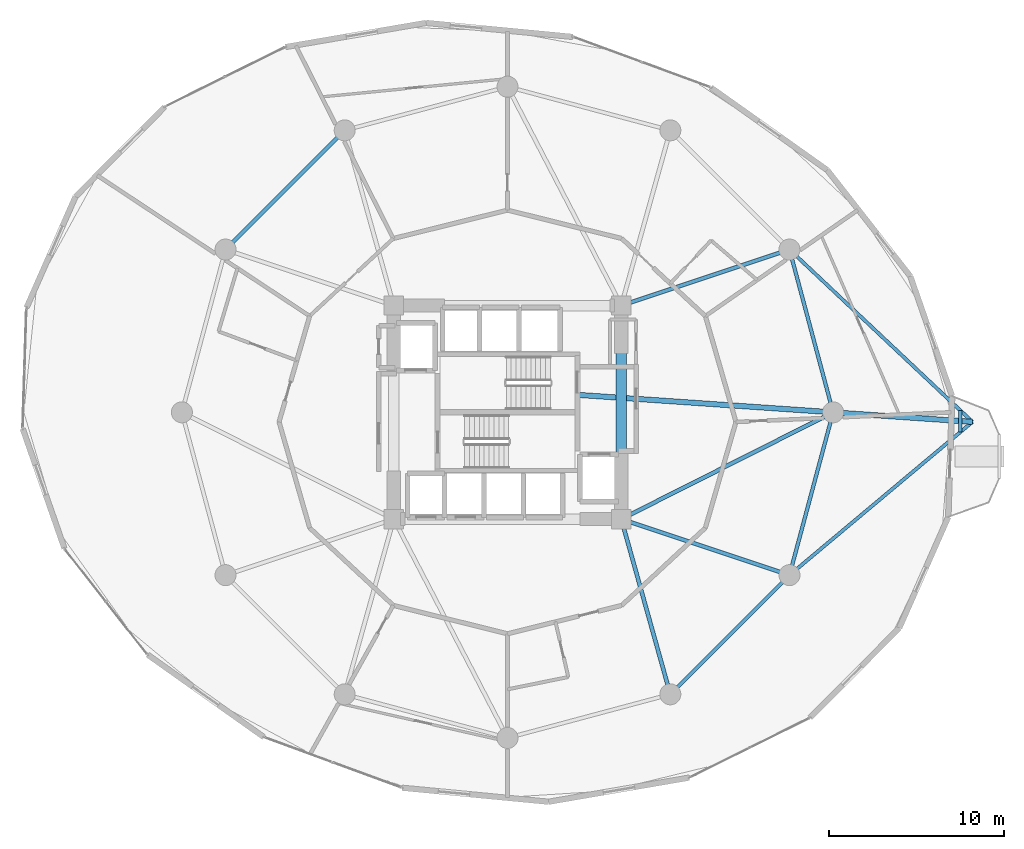
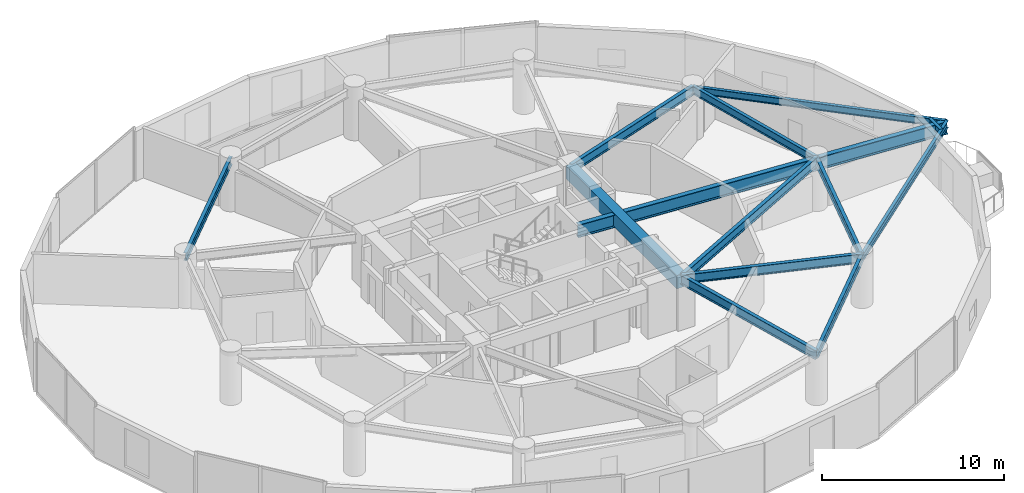
# One storey, part 11 of 22: 14 beams.
"""IFC4 building model written with IfcOpenShell, lengths in metres."""

from ifc_helpers import new_model, si_unit, direction, frame, origin, origin_2d, place, context, subcontext, project, spatial, rectangle, i_section, extrude, material, material_profile, profile_set, type_object, element, save


model = new_model("IFC4")

# Units and contexts
model_context = context("Model", 3, precision=1e-05, world=origin(), true_north=direction((0.0, 1.0)))
body_context = subcontext(model_context, "Body", "Model", "MODEL_VIEW")
ifc_project = project(units=[si_unit("LENGTHUNIT", "METRE"), si_unit("AREAUNIT", "SQUARE_METRE"), si_unit("VOLUMEUNIT", "CUBIC_METRE"), si_unit("PLANEANGLEUNIT", "RADIAN"), si_unit("MASSUNIT", "GRAM", prefix="KILO")], contexts=[model_context])

# Site, building, storey
site_placement = place(None, origin())
site = spatial("IfcSite", under=ifc_project, at=site_placement, CompositionType="ELEMENT")
building_placement = place(site_placement, origin())
building = spatial("IfcBuilding", under=site, at=building_placement, Name="Solvirekh Grand Hotel", CompositionType="ELEMENT")
storey_placement = place(building_placement, frame((0.0, 0.0, 53.60009765625)))
storey = spatial("IfcBuildingStorey", under=building, at=storey_placement, Name="L12", CompositionType="ELEMENT", Elevation=53.60009765625)

# Beams
ifc_material_1 = material(Name="Concrete C50/60", Category="concrete")
ifc_material_profile_1 = material_profile(ifc_material_1, rectangle(XDim=0.60009765625, YDim=0.89990234375, at=origin_2d()), Name="RC BEAM 600X900")
ifc_profile_set_1 = profile_set([ifc_material_profile_1], Name="Concrete C50/60")
beam_type_1 = type_object("IfcBeamType", Name="Beam_Core_RC900", PredefinedType="BEAM", material=ifc_profile_set_1)
beam_1_placement = place(storey_placement, frame((6.5, -6.10009765625, 2.889892578125), z_axis=(0.0, 1.0, 0.0), x_axis=(-1.0, 0.0, 0.0)))
element("IfcBeam", 1, at=beam_1_placement, inside=storey, type_object=beam_type_1, Name="L12 core coupling ring beam 2", PredefinedType="BEAM", context=body_context, shape_type="SweptSolid", body=[
    extrude(rectangle(XDim=0.60009765625, YDim=0.89990234375, at=origin_2d()), origin(), (0.0, 0.0, 1.0), 12.2001953125),
])
ifc_material_2 = material(Name="Steel S460", Category="steel")
ifc_material_profile_2 = material_profile(ifc_material_2, i_section(OverallWidth=0.302001953125, OverallDepth=0.85498046875, WebThickness=0.01904296875, FlangeThickness=0.032958984375, FilletRadius=0.01806640625, at=origin_2d()), Name="W840X299")
ifc_profile_set_2 = profile_set([ifc_material_profile_2], Name="Steel S460")
beam_type_2 = type_object("IfcBeamType", Name="Beam_PoolTie_W840", PredefinedType="BEAM", material=ifc_profile_set_2)
beam_2_placement = place(storey_placement, frame((3.989990234375, 1.0, 2.86181640625), z_axis=(0.997665786866, -0.068285999415, 0.0), x_axis=(0.068285999415, 0.997665786866, 0.0)))
element("IfcBeam", 2, at=beam_2_placement, inside=storey, type_object=beam_type_2, Name="L13 sky-garden back-span tie girder", PredefinedType="BEAM", context=body_context, shape_type="SweptSolid", body=[
    extrude(i_section(OverallWidth=0.302001953125, OverallDepth=0.85498046875, WebThickness=0.01904296875, FlangeThickness=0.032958984375, FilletRadius=0.01806640625, at=origin_2d()), origin(), (0.0, 0.0, 1.0), 14.644287109375),
])
beam_3_placement = place(storey_placement, frame((18.60009765625, 0.0, 2.86181640625), z_axis=(0.997665535799, -0.068289667441, 0.0), x_axis=(0.068289667441, 0.997665535799, 0.0)))
element("IfcBeam", 3, at=beam_3_placement, inside=storey, type_object=beam_type_2, Name="L13 sky-garden primary cantilever bracket", PredefinedType="BEAM", context=body_context, shape_type="SweptSolid", body=[
    extrude(i_section(OverallWidth=0.302001953125, OverallDepth=0.85498046875, WebThickness=0.01904296875, FlangeThickness=0.032958984375, FilletRadius=0.01806640625, at=origin_2d()), origin(), (0.0, 0.0, 1.0), 7.9794921875),
])
ifc_material_3 = material(Name="Steel S355", Category="steel")
ifc_material_profile_3 = material_profile(ifc_material_3, i_section(OverallWidth=0.22998046875, OverallDepth=0.615966796875, WebThickness=0.013916015625, FlangeThickness=0.02392578125, FilletRadius=0.014892578125, at=origin_2d()), Name="W610X174")
ifc_profile_set_3 = profile_set([ifc_material_profile_3], Name="Steel S355")
beam_type_3 = type_object("IfcBeamType", Name="Beam_Primary_W610H", PredefinedType="BEAM", material=ifc_profile_set_3)
beam_4_placement = place(storey_placement, frame((6.5, -6.10009765625, 3.031982421875), z_axis=(0.892944939011, 0.450165898191, 0.0), x_axis=(-0.450165898191, 0.892944939011, 0.0)))
element("IfcBeam", 4, at=beam_4_placement, inside=storey, type_object=beam_type_3, Name="L12 radial floor beam R01", PredefinedType="BEAM", context=body_context, shape_type="SweptSolid", body=[
    extrude(i_section(OverallWidth=0.22998046875, OverallDepth=0.615966796875, WebThickness=0.013916015625, FlangeThickness=0.02392578125, FilletRadius=0.014892578125, at=origin_2d()), origin(), (0.0, 0.0, 1.0), 13.55078125),
])
beam_5_placement = place(storey_placement, frame((6.5, 6.10009765625, 3.031982421875), z_axis=(0.948762825819, 0.315989082635, 0.0), x_axis=(-0.315989082635, 0.948762825819, 0.0)))
element("IfcBeam", 5, at=beam_5_placement, inside=storey, type_object=beam_type_3, Name="L12 radial floor beam R02", PredefinedType="BEAM", context=body_context, shape_type="SweptSolid", body=[
    extrude(i_section(OverallWidth=0.22998046875, OverallDepth=0.615966796875, WebThickness=0.013916015625, FlangeThickness=0.02392578125, FilletRadius=0.014892578125, at=origin_2d()), origin(), (0.0, 0.0, 1.0), 10.126708984375),
])
beam_6_placement = place(storey_placement, frame((6.5, -6.10009765625, 3.031982421875), z_axis=(0.269439084681, -0.963017434757, 0.0), x_axis=(0.963017434757, 0.269439084681, 0.0)))
element("IfcBeam", 6, at=beam_6_placement, inside=storey, type_object=beam_type_3, Name="L12 radial floor beam R11", PredefinedType="BEAM", context=body_context, shape_type="SweptSolid", body=[
    extrude(i_section(OverallWidth=0.22998046875, OverallDepth=0.615966796875, WebThickness=0.013916015625, FlangeThickness=0.02392578125, FilletRadius=0.014892578125, at=origin_2d()), origin(), (0.0, 0.0, 1.0), 10.39208984375),
])
beam_7_placement = place(storey_placement, frame((6.5, -6.10009765625, 3.031982421875), z_axis=(0.948762825819, -0.315989082635, 0.0), x_axis=(0.315989082635, 0.948762825819, 0.0)))
element("IfcBeam", 7, at=beam_7_placement, inside=storey, type_object=beam_type_3, Name="L12 radial floor beam R12", PredefinedType="BEAM", context=body_context, shape_type="SweptSolid", body=[
    extrude(i_section(OverallWidth=0.22998046875, OverallDepth=0.615966796875, WebThickness=0.013916015625, FlangeThickness=0.02392578125, FilletRadius=0.014892578125, at=origin_2d()), origin(), (0.0, 0.0, 1.0), 10.126708984375),
])
ifc_material_profile_4 = material_profile(ifc_material_3, i_section(OverallWidth=0.194091796875, OverallDepth=0.468994140625, WebThickness=0.010986328125, FlangeThickness=0.01904296875, FilletRadius=0.012939453125, at=origin_2d()), Name="W460X106")
ifc_profile_set_4 = profile_set([ifc_material_profile_4], Name="Steel S355")
beam_type_4 = type_object("IfcBeamType", Name="Beam_Radial_W460H", PredefinedType="BEAM", material=ifc_profile_set_4)
beam_8_placement = place(storey_placement, frame((16.10791015625, -9.300048828125, 3.055908203125), z_axis=(0.766625050673, 0.642095033216, 0.0), x_axis=(-0.642095033216, 0.766625050673, 0.0)))
element("IfcBeam", 8, at=beam_8_placement, inside=storey, type_object=beam_type_4, Name="L13 sky-garden edge tie beam 1", PredefinedType="BEAM", context=body_context, shape_type="SweptSolid", body=[
    extrude(i_section(OverallWidth=0.194091796875, OverallDepth=0.468994140625, WebThickness=0.010986328125, FlangeThickness=0.01904296875, FilletRadius=0.012939453125, at=origin_2d()), origin(), (0.0, 0.0, 1.0), 13.63525390625),
])
beam_9_placement = place(storey_placement, frame((16.10791015625, 9.300048828125, 3.055908203125), z_axis=(0.727965850308, -0.685613390174, 0.0), x_axis=(0.685613390174, 0.727965850308, 0.0)))
element("IfcBeam", 9, at=beam_9_placement, inside=storey, type_object=beam_type_4, Name="L13 sky-garden edge tie beam 2", PredefinedType="BEAM", context=body_context, shape_type="SweptSolid", body=[
    extrude(i_section(OverallWidth=0.194091796875, OverallDepth=0.468994140625, WebThickness=0.010986328125, FlangeThickness=0.01904296875, FilletRadius=0.012939453125, at=origin_2d()), origin(), (0.0, 0.0, 1.0), 14.359375),
])
beam_10_placement = place(storey_placement, frame((25.85888671875, -1.133056640625, 3.055908203125), z_axis=(0.0, 1.0, 0.0), x_axis=(-1.0, 0.0, 0.0)))
element("IfcBeam", 10, at=beam_10_placement, inside=storey, type_object=beam_type_4, Name="L13 sky-garden outer cross trimmer", PredefinedType="BEAM", context=body_context, shape_type="SweptSolid", body=[
    extrude(i_section(OverallWidth=0.194091796875, OverallDepth=0.468994140625, WebThickness=0.010986328125, FlangeThickness=0.01904296875, FilletRadius=0.012939453125, at=origin_2d()), origin(), (0.0, 0.0, 1.0), 1.25),
])
ifc_material_profile_5 = material_profile(ifc_material_3, i_section(OverallWidth=0.208984375, OverallDepth=0.532958984375, WebThickness=0.010009765625, FlangeThickness=0.014892578125, FilletRadius=0.013916015625, at=origin_2d()), Name="W530X92")
ifc_profile_set_5 = profile_set([ifc_material_profile_5], Name="Steel S355")
beam_type_5 = type_object("IfcBeamType", Name="Spandrel_Ring_W530", PredefinedType="SPANDREL", material=ifc_profile_set_5)
beam_11_placement = place(storey_placement, frame((18.60009765625, 0.0, 3.072998046875), z_axis=(-0.258842973314, 0.965919414426, 0.0), x_axis=(-0.965919414426, -0.258842973314, 0.0)))
element("IfcBeam", 11, at=beam_11_placement, inside=storey, type_object=beam_type_5, Name="L12 perimeter spandrel beam 1", PredefinedType="SPANDREL", context=body_context, shape_type="SweptSolid", body=[
    extrude(i_section(OverallWidth=0.208984375, OverallDepth=0.532958984375, WebThickness=0.010009765625, FlangeThickness=0.014892578125, FilletRadius=0.013916015625, at=origin_2d()), origin(), (0.0, 0.0, 1.0), 9.628173828125),
])
for number, where, z_axis, x_axis, name in (
    (12, (-9.300048828125, 16.10791015625, 3.072998046875), (-0.707106781187, -0.707106781187, 0.0), (0.707106781187, -0.707106781187, 0.0), "L12 perimeter spandrel beam 5"),
    (13, (9.300048828125, -16.10791015625, 3.072998046875), (0.707106781187, 0.707106781187, 0.0), (-0.707106781187, 0.707106781187, 0.0), "L12 perimeter spandrel beam 11"),
):
    element("IfcBeam", number, at=place(storey_placement, frame(where, z_axis=z_axis, x_axis=x_axis)), inside=storey, type_object=beam_type_5, Name=name, PredefinedType="SPANDREL", context=body_context, shape_type="SweptSolid", body=[
        extrude(i_section(OverallWidth=0.208984375, OverallDepth=0.532958984375, WebThickness=0.010009765625, FlangeThickness=0.014892578125, FilletRadius=0.013916015625, at=origin_2d()), origin(), (0.0, 0.0, 1.0), 9.627685546875),
    ])
beam_12_placement = place(storey_placement, frame((16.10791015625, -9.300048828125, 3.072998046875), z_axis=(0.258842973314, 0.965919414426, 0.0), x_axis=(-0.965919414426, 0.258842973314, 0.0)))
element("IfcBeam", 14, at=beam_12_placement, inside=storey, type_object=beam_type_5, Name="L12 perimeter spandrel beam 12", PredefinedType="SPANDREL", context=body_context, shape_type="SweptSolid", body=[
    extrude(i_section(OverallWidth=0.208984375, OverallDepth=0.532958984375, WebThickness=0.010009765625, FlangeThickness=0.014892578125, FilletRadius=0.013916015625, at=origin_2d()), origin(), (0.0, 0.0, 1.0), 9.628173828125),
])

save(model, "model.ifc")
